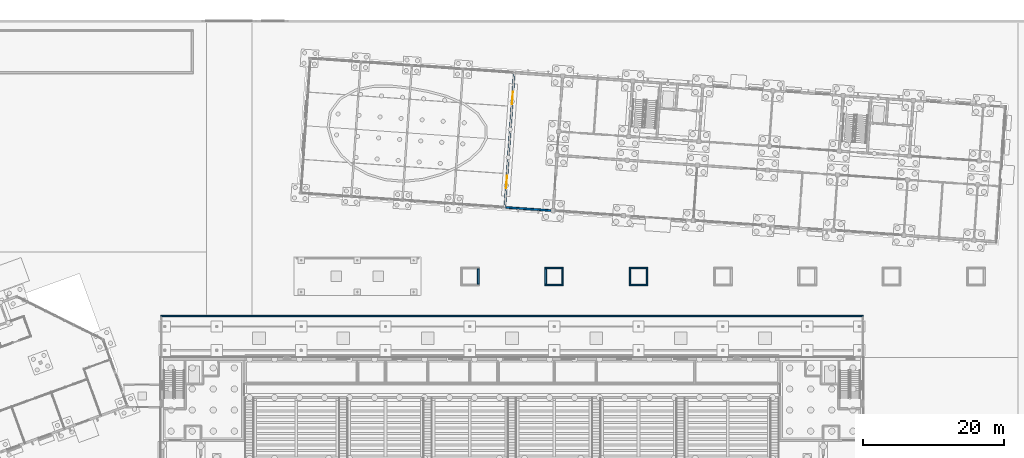
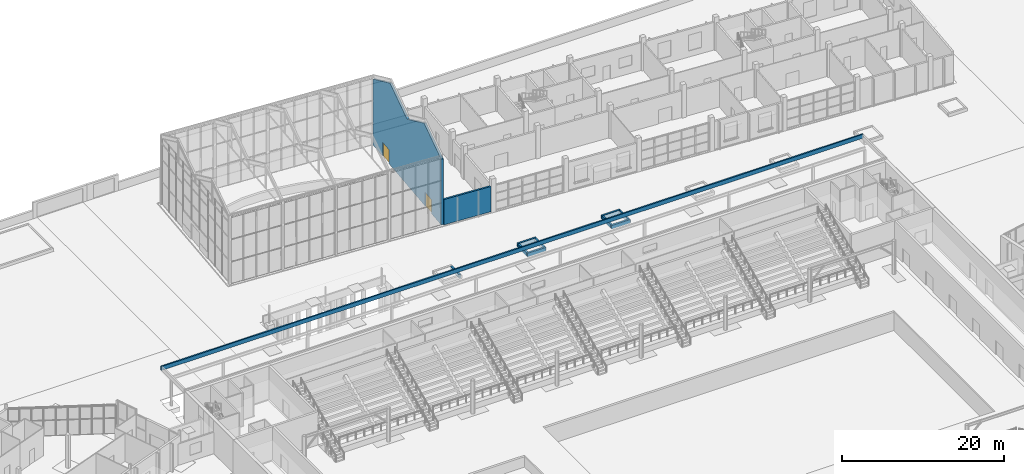
# One storey, part 98 of 157: 12 walls, 2 doors, 2 openings.
"""IFC4 building model written with IfcOpenShell, lengths in metres."""

from ifc_helpers import new_model, si_unit, direction, frame, frame_2d, origin, place, context, subcontext, project, spatial, polyline, rectangle, outline, extrude, material, layer, layer_set, type_object, element, fill, save


model = new_model("IFC4")

# Units and contexts
model_context = context("Model", 3, precision=1e-05, world=origin(), true_north=direction((0.0, 1.0)))
body_context = subcontext(model_context, "Body", "Model", "MODEL_VIEW")
ifc_project = project(units=[si_unit("LENGTHUNIT", "METRE"), si_unit("AREAUNIT", "SQUARE_METRE"), si_unit("VOLUMEUNIT", "CUBIC_METRE"), si_unit("PLANEANGLEUNIT", "RADIAN"), si_unit("MASSUNIT", "GRAM", prefix="KILO")], contexts=[model_context])

# Site, building, storey
site_placement = place(None, origin())
site = spatial("IfcSite", under=ifc_project, at=site_placement, CompositionType="ELEMENT")
building_placement = place(site_placement, origin())
building = spatial("IfcBuilding", under=site, at=building_placement, Name="Windward Yard Aquatics Centre", CompositionType="ELEMENT")
storey_placement = place(building_placement, origin())
storey = spatial("IfcBuildingStorey", under=building, at=storey_placement, Name="L00", CompositionType="ELEMENT", Elevation=0.0)

# Walls
ifc_material_1 = material(Name="Concrete C35/45", Category="concrete")
ifc_layer_1 = layer(ifc_material_1, 0.199951171875)
ifc_layer_set_1 = layer_set([ifc_layer_1], Name="A arcade roof parapet 200")
wall_type_1 = type_object("IfcWallType", Name="A arcade roof parapet 200", PredefinedType="PARAPET", material=ifc_layer_set_1)
wall_1_placement = place(storey_placement, frame((52.0, 101.89990234375, 4.60009765625), z_axis=(0.0, 0.0, 1.0), x_axis=(1.0, 0.0, 0.0)))
element("IfcWall", 1, at=wall_1_placement, inside=storey, type_object=wall_type_1, Name="A.W.PA.N", PredefinedType="PARAPET", context=body_context, shape_type="SweptSolid", body=[
    extrude(rectangle(XDim=100.0, YDim=0.199951171875, at=frame_2d((50.0, 0.0))), origin(), (0.0, 0.0, 1.0), 0.599853515625),
])
ifc_material_2 = material(Name="Concrete C40/50", Category="concrete")
ifc_layer_2 = layer(ifc_material_2, 0.25)
ifc_layer_set_2 = layer_set([ifc_layer_2], Name="W RC core wall 250 Concrete C40/50")
wall_type_2 = type_object("IfcWallType", Name="W RC core wall 250 Concrete C40/50", PredefinedType="SOLIDWALL", material=ifc_layer_set_2)
wall_2_placement = place(storey_placement, frame((101.129638671875, 117.3359375, 0.0), z_axis=(0.0, 0.0, 1.0), x_axis=(0.997563842515, -0.069759444574, 0.0)))
element("IfcWall", 2, at=wall_2_placement, inside=storey, type_object=wall_type_2, Name="W.FW.L00.S.29.8", PredefinedType="SOLIDWALL", context=body_context, shape_type="SweptSolid", body=[
    extrude(rectangle(XDim=6.449951171875, YDim=0.25, at=frame_2d((3.22509765625, 0.0))), origin(), (0.0, 0.0, 1.0), 3.805908203125),
])

# Wall, openings, doors
ifc_layer_3 = layer(ifc_material_1, 0.300048828125)
ifc_layer_set_3 = layer_set([ifc_layer_3], Name="W pool hall wall 300 Concrete C35/45")
wall_type_3 = type_object("IfcWallType", Name="W pool hall wall 300 Concrete C35/45", PredefinedType="SOLIDWALL", material=ifc_layer_set_3)
wall_3_placement = place(storey_placement, frame((100.97998046875, 117.346435546875, 0.0), z_axis=(0.0, 0.0, 1.0), x_axis=(0.069758646115, 0.99756389835, 0.0)))
wall_3 = element("IfcWall", 3, at=wall_3_placement, inside=storey, type_object=wall_type_3, Name="W.HALL.WALL.E", PredefinedType="SOLIDWALL", context=body_context, shape_type="SweptSolid", body=[
    extrude(outline(polyline([(0.0, 0.0), (19.199951171875, 0.0), (19.199951171875, 9.89990234375), (14.39990234375, 12.300048828125), (9.60009765625, 9.89990234375), (4.800048828125, 12.300048828125), (0.0, 9.89990234375), (0.0, 0.0)])), frame((0.0, 0.14990234375, 0.0), z_axis=(0.0, -1.0, 0.0), x_axis=(1.0, 0.0, 0.0)), (0.0, 0.0, 1.0), 0.300048828125),
])
opening_1_placement = place(wall_3_placement, frame((2.699951171875, 0.0, 0.0)))
opening_1 = element("IfcOpeningElement", 4, at=opening_1_placement, cuts=wall_3, Name="Opening W0005", PredefinedType="OPENING", context=body_context, shape_type="SweptSolid", body=[
    extrude(rectangle(XDim=1.800048828125, YDim=2.10009765625, at=frame_2d((0.89990234375, 1.050048828125))), frame((0.0, 0.16015625, 0.0), z_axis=(0.0, -1.0, 0.0), x_axis=(1.0, 0.0, 0.0)), (0.0, 0.0, 1.0), 0.320068359375),
])
opening_2_placement = place(wall_3_placement, frame((14.699951171875, 0.0, 0.0)))
opening_2 = element("IfcOpeningElement", 5, at=opening_2_placement, cuts=wall_3, Name="Opening W0006", PredefinedType="OPENING", context=body_context, shape_type="SweptSolid", body=[
    extrude(rectangle(XDim=1.800048828125, YDim=2.10009765625, at=frame_2d((0.89990234375, 1.050048828125))), frame((0.0, 0.16015625, 0.0), z_axis=(0.0, -1.0, 0.0), x_axis=(1.0, 0.0, 0.0)), (0.0, 0.0, 1.0), 0.320068359375),
])
ifc_material_3 = material(Name="Timber door leaf", Category="wood")
door_type = type_object("IfcDoorType", Name="W double door 1800x2100", OperationType="DOUBLE_DOOR_SINGLE_SWING", PredefinedType="DOOR", material=ifc_material_3)
door_1_placement = place(opening_1_placement, origin())
door_1 = element("IfcDoor", 6, at=door_1_placement, inside=storey, type_object=door_type, Name="W.DRI.L00.001", OperationType="DOUBLE_DOOR_SINGLE_SWING", OverallHeight=2.10009765625, OverallWidth=1.800048828125, PredefinedType="DOOR", context=body_context, shape_type="SweptSolid", body=[
    extrude(rectangle(XDim=1.800048828125, YDim=2.10009765625, at=frame_2d((0.89990234375, 1.050048828125))), frame((0.0, 0.02490234375, 0.0), z_axis=(0.0, -1.0, 0.0), x_axis=(1.0, 0.0, 0.0)), (0.0, 0.0, 1.0), 0.050048828125),
])
fill(opening_1, door_1)
door_2_placement = place(opening_2_placement, origin())
door_2 = element("IfcDoor", 7, at=door_2_placement, inside=storey, type_object=door_type, Name="W.DRI.L00.002", OperationType="DOUBLE_DOOR_SINGLE_SWING", OverallHeight=2.10009765625, OverallWidth=1.800048828125, PredefinedType="DOOR", context=body_context, shape_type="SweptSolid", body=[
    extrude(rectangle(XDim=1.800048828125, YDim=2.10009765625, at=frame_2d((0.89990234375, 1.050048828125))), frame((0.0, 0.02490234375, 0.0), z_axis=(0.0, -1.0, 0.0), x_axis=(1.0, 0.0, 0.0)), (0.0, 0.0, 1.0), 0.050048828125),
])
fill(opening_2, door_2)

# Walls
ifc_material_4 = material(Name="Bituminous waterproofing membrane with root barrier")
ifc_layer_4 = layer(ifc_material_4, 0.005, Name="Waterproofing and root barrier")
ifc_material_5 = material(Name="Concrete C30/37", Category="concrete")
ifc_layer_5 = layer(ifc_material_5, 0.245, Name="Structure")
ifc_layer_set_4 = layer_set([ifc_layer_4, ifc_layer_5], Name="X Planter Wall Concrete C30/37 250 x 550")
wall_type_4 = type_object("IfcWallType", Name="X Planter Wall Concrete C30/37 250 x 550", PredefinedType="USERDEFINED", material=ifc_layer_set_4)
wall_4_placement = place(storey_placement, frame((97.199951171875, 106.425048828125, -0.10009765625), z_axis=(0.0, 0.0, 1.0), x_axis=(0.0, 1.0, 0.0)))
element("IfcWall", 8, at=wall_4_placement, inside=storey, type_object=wall_type_4, Name="Tree well planter wall", ObjectType="PLANTER WALL", PredefinedType="USERDEFINED", context=body_context, shape_type="SweptSolid", body=[
    extrude(rectangle(XDim=2.14990234375, YDim=0.25, at=frame_2d((1.074951171875, 0.0))), origin(), (0.0, 0.0, 1.0), 0.550048828125),
])
for number, where, z_axis, x_axis, name in (
    (9, (106.675048828125, 106.300048828125, -0.10009765625), (0.0, 0.0, 1.0), (1.0, 0.0, 0.0), "Tree well planter wall"),
    (10, (106.675048828125, 108.699951171875, -0.10009765625), (0.0, 0.0, 1.0), (1.0, 0.0, 0.0), "Tree well planter wall"),
):
    element("IfcWall", number, at=place(storey_placement, frame(where, z_axis=z_axis, x_axis=x_axis)), inside=storey, type_object=wall_type_4, Name=name, ObjectType="PLANTER WALL", PredefinedType="USERDEFINED", context=body_context, shape_type="SweptSolid", body=[
        extrude(rectangle(XDim=2.64990234375, YDim=0.25, at=frame_2d((1.324951171875, 0.0))), origin(), (0.0, 0.0, 1.0), 0.550048828125),
    ])
for number, where, z_axis, x_axis, name in (
    (11, (106.800048828125, 106.425048828125, -0.10009765625), (0.0, 0.0, 1.0), (0.0, 1.0, 0.0), "Tree well planter wall"),
    (12, (109.199951171875, 106.425048828125, -0.10009765625), (0.0, 0.0, 1.0), (0.0, 1.0, 0.0), "Tree well planter wall"),
):
    element("IfcWall", number, at=place(storey_placement, frame(where, z_axis=z_axis, x_axis=x_axis)), inside=storey, type_object=wall_type_4, Name=name, ObjectType="PLANTER WALL", PredefinedType="USERDEFINED", context=body_context, shape_type="SweptSolid", body=[
        extrude(rectangle(XDim=2.14990234375, YDim=0.25, at=frame_2d((1.074951171875, 0.0))), origin(), (0.0, 0.0, 1.0), 0.550048828125),
    ])
for number, where, z_axis, x_axis, name in (
    (13, (118.675048828125, 106.300048828125, -0.10009765625), (0.0, 0.0, 1.0), (1.0, 0.0, 0.0), "Tree well planter wall"),
    (14, (118.675048828125, 108.699951171875, -0.10009765625), (0.0, 0.0, 1.0), (1.0, 0.0, 0.0), "Tree well planter wall"),
):
    element("IfcWall", number, at=place(storey_placement, frame(where, z_axis=z_axis, x_axis=x_axis)), inside=storey, type_object=wall_type_4, Name=name, ObjectType="PLANTER WALL", PredefinedType="USERDEFINED", context=body_context, shape_type="SweptSolid", body=[
        extrude(rectangle(XDim=2.64990234375, YDim=0.25, at=frame_2d((1.324951171875, 0.0))), origin(), (0.0, 0.0, 1.0), 0.550048828125),
    ])
for number, where, z_axis, x_axis, name in (
    (15, (118.800048828125, 106.425048828125, -0.10009765625), (0.0, 0.0, 1.0), (0.0, 1.0, 0.0), "Tree well planter wall"),
    (16, (121.199951171875, 106.425048828125, -0.10009765625), (0.0, 0.0, 1.0), (0.0, 1.0, 0.0), "Tree well planter wall"),
):
    element("IfcWall", number, at=place(storey_placement, frame(where, z_axis=z_axis, x_axis=x_axis)), inside=storey, type_object=wall_type_4, Name=name, ObjectType="PLANTER WALL", PredefinedType="USERDEFINED", context=body_context, shape_type="SweptSolid", body=[
        extrude(rectangle(XDim=2.14990234375, YDim=0.25, at=frame_2d((1.074951171875, 0.0))), origin(), (0.0, 0.0, 1.0), 0.550048828125),
    ])

save(model, "model.ifc")
